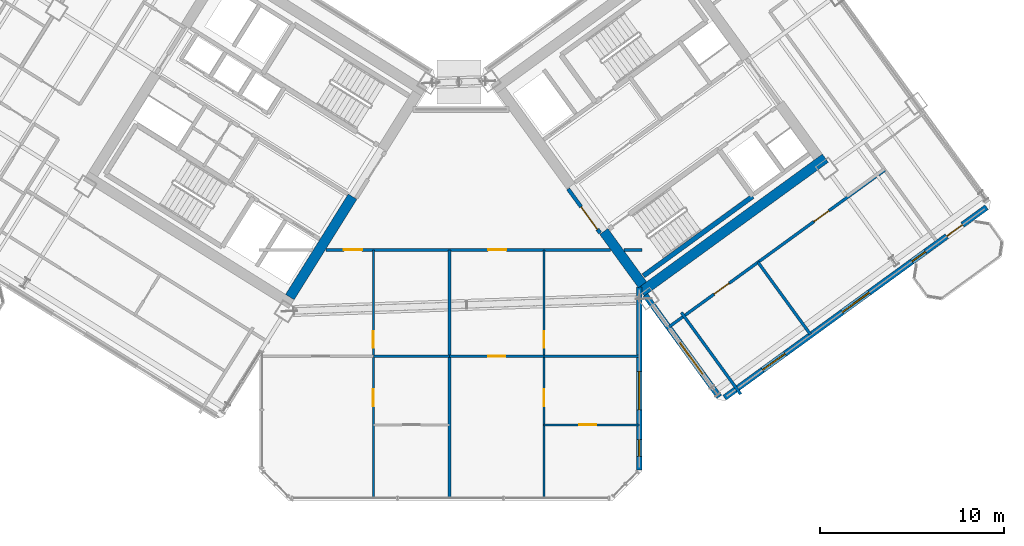
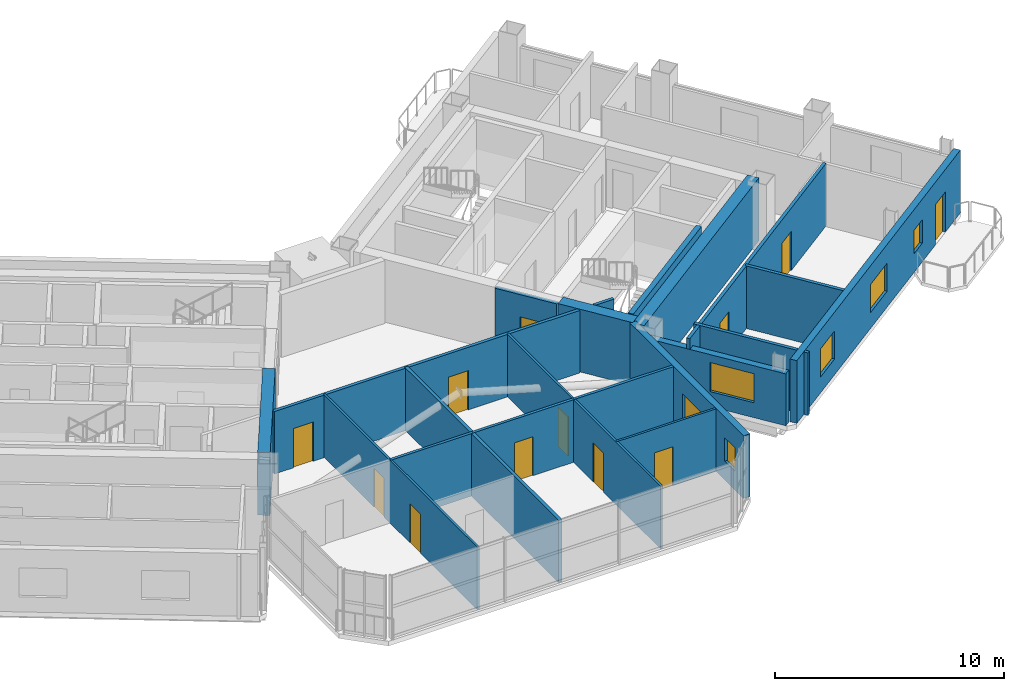
# One storey, part 19 of 29: 20 walls, 12 doors, 6 windows, 18 openings.
"""IFC4 building model written with IfcOpenShell, lengths in metres."""

from ifc_helpers import new_model, si_unit, direction, frame, frame_2d, origin, place, context, subcontext, project, spatial, rectangle, extrude, source, transform, mapped, material, layer, layer_set, type_object, element, fill, save


model = new_model("IFC4")

# Units and contexts
model_context = context("Model", 3, precision=1e-05, world=origin(), true_north=direction((0.0, 1.0)))
body_context = subcontext(model_context, "Body", "Model", "MODEL_VIEW")
ifc_project = project(units=[si_unit("LENGTHUNIT", "METRE"), si_unit("AREAUNIT", "SQUARE_METRE"), si_unit("VOLUMEUNIT", "CUBIC_METRE"), si_unit("PLANEANGLEUNIT", "RADIAN"), si_unit("MASSUNIT", "GRAM", prefix="KILO")], contexts=[model_context])

# Site, building, storey
site_placement = place(None, origin())
site = spatial("IfcSite", under=ifc_project, at=site_placement, CompositionType="ELEMENT")
building_placement = place(site_placement, origin())
building = spatial("IfcBuilding", under=site, at=building_placement, Name="Tlacorven Tower", CompositionType="ELEMENT")
storey_placement = place(building_placement, frame((0.0, 0.0, 151.5)))
storey = spatial("IfcBuildingStorey", under=building, at=storey_placement, Name="L38", CompositionType="ELEMENT", Elevation=151.5)

# Walls
ifc_material_1 = material(Name="Concrete C60/75", Category="concrete")
ifc_layer_1 = layer(ifc_material_1, 0.550048828125)
ifc_layer_set_1 = layer_set([ifc_layer_1], Name="Concrete C60/75")
wall_type_1 = type_object("IfcWallType", Name="WL-COR-550", PredefinedType="SHEAR", material=ifc_layer_set_1)
wall_1_placement = place(storey_placement, frame((36.683349609375, 18.30419921875, 0.0), z_axis=(0.0, 0.0, 1.0), x_axis=(-0.529896466841, -0.848062341122, 0.0)))
element("IfcWall", 1, at=wall_1_placement, inside=storey, type_object=wall_type_1, Name="L38 W core end wall E1.2", PredefinedType="SHEAR", context=body_context, shape_type="SweptSolid", body=[
    extrude(rectangle(XDim=6.4248046875, YDim=0.550048828125, at=frame_2d((3.21240234375, 0.0))), origin(), (0.0, 0.0, 1.0), 3.35009765625),
])
wall_2_placement = place(storey_placement, frame((52.35888671875, 13.1396484375, 0.0), z_axis=(0.0, 0.0, 1.0), x_axis=(0.809014896919, 0.587788139183, 0.0)))
element("IfcWall", 2, at=wall_2_placement, inside=storey, type_object=wall_type_1, Name="L38 E core shear wall S1", PredefinedType="SHEAR", context=body_context, shape_type="SweptSolid", body=[
    extrude(rectangle(XDim=12.340087890625, YDim=0.550048828125, at=frame_2d((6.169921875, 0.0))), origin(), (0.0, 0.0, 1.0), 3.35009765625),
])
wall_3_placement = place(storey_placement, frame((52.419677734375, 13.52392578125, 0.0), z_axis=(0.0, 0.0, 1.0), x_axis=(-0.587802113096, 0.809004744015, 0.0)))
element("IfcWall", 3, at=wall_3_placement, inside=storey, type_object=wall_type_1, Name="L38 E core end wall E1.1", PredefinedType="SHEAR", context=body_context, shape_type="SweptSolid", body=[
    extrude(rectangle(XDim=3.574951171875, YDim=0.550048828125, at=frame_2d((1.78759765625, 0.0))), origin(), (0.0, 0.0, 1.0), 3.35009765625),
])

# Wall, openings, doors
ifc_material_2 = material(Name="Gypsum plasterboard acoustic partition", Category="gypsum")
ifc_layer_2 = layer(ifc_material_2, 0.159912109375)
ifc_layer_set_2 = layer_set([ifc_layer_2], Name="Gypsum plasterboard acoustic partition")
wall_type_2 = type_object("IfcWallType", Name="WL-DEM-160", PredefinedType="PARTITIONING", material=ifc_layer_set_2)
wall_4_placement = place(storey_placement, frame((35.2373046875, 15.419921875, 0.0), z_axis=(0.0, 0.0, 1.0), x_axis=(1.0, 0.0, 0.0)))
wall_4 = element("IfcWall", 4, at=wall_4_placement, inside=storey, type_object=wall_type_2, Name="L38 Knuckle Corridor South Wall", PredefinedType="PARTITIONING", context=body_context, shape_type="SweptSolid", body=[
    extrude(rectangle(XDim=15.431640625, YDim=0.159912109375, at=frame_2d((7.7158203125, 0.0))), origin(), (0.0, 0.0, 1.0), 3.340087890625),
])
opening_1_placement = place(wall_4_placement, frame((0.968994140625, 0.0, 0.0)))
opening_1 = element("IfcOpeningElement", 5, at=opening_1_placement, cuts=wall_4, Name="Opening D11", PredefinedType="OPENING", context=body_context, shape_type="SweptSolid", body=[
    extrude(rectangle(XDim=1.0, YDim=2.10009765625, at=frame_2d((0.5, 1.050048828125))), frame((0.0, 0.08984375, 0.0), z_axis=(0.0, -1.0, 0.0), x_axis=(1.0, 0.0, 0.0)), (0.0, 0.0, 1.0), 0.179931640625),
])
opening_2_placement = place(wall_4_placement, frame((8.798583984375, 0.0, 0.0)))
opening_2 = element("IfcOpeningElement", 6, at=opening_2_placement, cuts=wall_4, Name="Opening D11", PredefinedType="OPENING", context=body_context, shape_type="SweptSolid", body=[
    extrude(rectangle(XDim=1.0, YDim=2.10009765625, at=frame_2d((0.5, 1.050048828125))), frame((0.0, 0.08984375, 0.0), z_axis=(0.0, -1.0, 0.0), x_axis=(1.0, 0.0, 0.0)), (0.0, 0.0, 1.0), 0.179931640625),
])
ifc_material_3 = material(Name="Fire-rated steel door assembly", Category="steel")
door_type_1 = type_object("IfcDoorType", Name="DR-FLT-FD60-1000", OperationType="NOTDEFINED", PredefinedType="DOOR", material=ifc_material_3)
shared_shape_1 = source(origin(), body_context, "Body", "SweptSolid", [
    extrude(rectangle(XDim=1.0, YDim=2.10009765625, at=frame_2d((0.5, 1.050048828125))), frame((0.0, 0.02490234375, 0.0), z_axis=(0.0, -1.0, 0.0), x_axis=(1.0, 0.0, 0.0)), (0.0, 0.0, 1.0), 0.050048828125),
])
door_1_placement = place(opening_1_placement, frame((1.0, 0.0, 0.0), z_axis=(0.0, 0.0, 1.0), x_axis=(-1.0, 0.0, 0.0)))
door_1 = element("IfcDoor", 7, at=door_1_placement, inside=storey, type_object=door_type_1, Name="L38 door 050", OperationType="SINGLE_SWING_LEFT", OverallHeight=2.10009765625, OverallWidth=1.0, PredefinedType="DOOR", context=body_context, shape_type="MappedRepresentation", body=[
    mapped(shared_shape_1, transform((0.0, 0.0, 0.0), scale=1.0)),
])
fill(opening_1, door_1)
door_2_placement = place(opening_2_placement, frame((1.0, 0.0, 0.0), z_axis=(0.0, 0.0, 1.0), x_axis=(-1.0, 0.0, 0.0)))
door_2 = element("IfcDoor", 8, at=door_2_placement, inside=storey, type_object=door_type_1, Name="L38 door 055", OperationType="SINGLE_SWING_RIGHT", OverallHeight=2.10009765625, OverallWidth=1.0, PredefinedType="DOOR", context=body_context, shape_type="MappedRepresentation", body=[
    mapped(shared_shape_1, transform((0.0, 0.0, 0.0), scale=1.0)),
])
fill(opening_2, door_2)

# Walls
wall_5_placement = place(storey_placement, frame((51.41552734375, 15.419921875, 0.0), z_axis=(0.0, 0.0, 1.0), x_axis=(1.0, 0.0, 0.0)))
element("IfcWall", 9, at=wall_5_placement, inside=storey, type_object=wall_type_2, Name="L38 Knuckle Corridor South Wall", PredefinedType="PARTITIONING", context=body_context, shape_type="SweptSolid", body=[
    extrude(rectangle(XDim=0.984375, YDim=0.159912109375, at=frame_2d((0.4921875, 0.0))), origin(), (0.0, 0.0, 1.0), 3.340087890625),
])
wall_6_placement = place(storey_placement, frame((41.949951171875, 1.9599609375, 0.0), z_axis=(0.0, 0.0, 1.0), x_axis=(0.0, 1.0, 0.0)))
element("IfcWall", 10, at=wall_6_placement, inside=storey, type_object=wall_type_2, Name="L38 Knuckle Demising Wall 1", PredefinedType="PARTITIONING", context=body_context, shape_type="SweptSolid", body=[
    extrude(rectangle(XDim=13.4599609375, YDim=0.159912109375, at=frame_2d((6.72998046875, 0.0))), origin(), (0.0, 0.0, 1.0), 3.340087890625),
])

# Wall, openings, doors
wall_7_placement = place(storey_placement, frame((53.70458984375, 11.1259765625, 0.0), z_axis=(0.0, 0.0, 1.0), x_axis=(0.809014504436, 0.587788679384, 0.0)))
wall_7 = element("IfcWall", 11, at=wall_7_placement, inside=storey, type_object=wall_type_2, Name="L38 partition 94", PredefinedType="PARTITIONING", context=body_context, shape_type="SweptSolid", body=[
    extrude(rectangle(XDim=14.669921875, YDim=0.159912109375, at=frame_2d((7.3349609375, 0.0))), origin(), (0.0, 0.0, 1.0), 3.340087890625),
])
opening_3_placement = place(wall_7_placement, frame((3.215087890625, 0.0, 0.0)))
opening_3 = element("IfcOpeningElement", 12, at=opening_3_placement, cuts=wall_7, Name="Opening D11", PredefinedType="OPENING", context=body_context, shape_type="SweptSolid", body=[
    extrude(rectangle(XDim=1.0, YDim=2.10009765625, at=frame_2d((0.5, 1.050048828125))), frame((0.0, 0.08984375, 0.0), z_axis=(0.0, -1.0, 0.0), x_axis=(1.0, 0.0, 0.0)), (0.0, 0.0, 1.0), 0.179931640625),
])
opening_4_placement = place(wall_7_placement, frame((9.9150390625, 0.0, 0.0)))
opening_4 = element("IfcOpeningElement", 13, at=opening_4_placement, cuts=wall_7, Name="Opening D11", PredefinedType="OPENING", context=body_context, shape_type="SweptSolid", body=[
    extrude(rectangle(XDim=1.0, YDim=2.10009765625, at=frame_2d((0.5, 1.050048828125))), frame((0.0, 0.08984375, 0.0), z_axis=(0.0, -1.0, 0.0), x_axis=(1.0, 0.0, 0.0)), (0.0, 0.0, 1.0), 0.179931640625),
])
door_3_placement = place(opening_3_placement, origin())
door_3 = element("IfcDoor", 14, at=door_3_placement, inside=storey, type_object=door_type_1, Name="L38 door 063", OperationType="SINGLE_SWING_RIGHT", OverallHeight=2.10009765625, OverallWidth=1.0, PredefinedType="DOOR", context=body_context, shape_type="MappedRepresentation", body=[
    mapped(shared_shape_1, transform((0.0, 0.0, 0.0), scale=1.0)),
])
fill(opening_3, door_3)
door_4_placement = place(opening_4_placement, origin())
door_4 = element("IfcDoor", 15, at=door_4_placement, inside=storey, type_object=door_type_1, Name="L38 door 064", OperationType="SINGLE_SWING_LEFT", OverallHeight=2.10009765625, OverallWidth=1.0, PredefinedType="DOOR", context=body_context, shape_type="MappedRepresentation", body=[
    mapped(shared_shape_1, transform((0.0, 0.0, 0.0), scale=1.0)),
])
fill(opening_4, door_4)

# Walls
wall_8_placement = place(storey_placement, frame((57.747314453125, 7.586181640625, 0.0), z_axis=(0.0, 0.0, 1.0), x_axis=(-0.587784893399, 0.809017255126, 0.0)))
element("IfcWall", 16, at=wall_8_placement, inside=storey, type_object=wall_type_2, Name="L38 EC West Throat Wall", PredefinedType="PARTITIONING", context=body_context, shape_type="SweptSolid", body=[
    extrude(rectangle(XDim=5.480224609375, YDim=0.159912109375, at=frame_2d((2.740234375, 0.0))), origin(), (0.0, 0.0, 1.0), 3.340087890625),
])
wall_9_placement = place(storey_placement, frame((61.538818359375, 10.822998046875, 0.0), z_axis=(0.0, 0.0, 1.0), x_axis=(-0.587785532001, 0.809016791155, 0.0)))
element("IfcWall", 17, at=wall_9_placement, inside=storey, type_object=wall_type_2, Name="L38 EC Demising Wall 1", PredefinedType="PARTITIONING", context=body_context, shape_type="SweptSolid", body=[
    extrude(rectangle(XDim=4.85009765625, YDim=0.159912109375, at=frame_2d((2.425048828125, 0.0))), origin(), (0.0, 0.0, 1.0), 3.340087890625),
])

# Wall, openings, door, windows
ifc_material_4 = material(Name="Precast concrete C45/55", Category="concrete")
ifc_layer_3 = layer(ifc_material_4, 0.320068359375)
ifc_layer_set_3 = layer_set([ifc_layer_3], Name="Precast concrete C45/55")
wall_type_3 = type_object("IfcWallType", Name="WL-EXT-320", PredefinedType="STANDARD", material=ifc_layer_set_3)
wall_10_placement = place(storey_placement, frame((71.097900390625, 17.73095703125, 0.0), z_axis=(0.0, 0.0, 1.0), x_axis=(-0.809021120468, -0.587779573171, 0.0)))
wall_10 = element("IfcWall", 18, at=wall_10_placement, inside=storey, type_object=wall_type_3, Name="L38 Masonry-Frame Recessed Facade Wall 7", PredefinedType="STANDARD", context=body_context, shape_type="SweptSolid", body=[
    extrude(rectangle(XDim=17.587646484375, YDim=0.320068359375, at=frame_2d((8.7939453125, 0.0))), origin(), (0.0, 0.0, 1.0), 3.35009765625),
])
opening_5_placement = place(wall_10_placement, frame((1.623779296875, 0.0, 0.0)))
opening_5 = element("IfcOpeningElement", 19, at=opening_5_placement, cuts=wall_10, Name="Opening D06", PredefinedType="OPENING", context=body_context, shape_type="SweptSolid", body=[
    extrude(rectangle(XDim=1.050048828125, YDim=2.14990234375, at=frame_2d((0.52490234375, 1.074951171875))), frame((0.0, 0.169921875, 0.0), z_axis=(0.0, -1.0, 0.0), x_axis=(1.0, 0.0, 0.0)), (0.0, 0.0, 1.0), 0.340087890625),
])
opening_6_placement = place(wall_10_placement, frame((4.103759765625, 0.0, 1.0)))
opening_6 = element("IfcOpeningElement", 20, at=opening_6_placement, cuts=wall_10, Name="Opening WN05", PredefinedType="OPENING", context=body_context, shape_type="SweptSolid", body=[
    extrude(rectangle(XDim=0.89990234375, YDim=1.25, at=frame_2d((0.449951171875, 0.625))), frame((0.0, 0.169921875, 0.0), z_axis=(0.0, -1.0, 0.0), x_axis=(1.0, 0.0, 0.0)), (0.0, 0.0, 1.0), 0.340087890625),
])
opening_7_placement = place(wall_10_placement, frame((7.878662109375, 0.0, 0.85009765625)))
opening_7 = element("IfcOpeningElement", 21, at=opening_7_placement, cuts=wall_10, Name="Opening WN01", PredefinedType="OPENING", context=body_context, shape_type="SweptSolid", body=[
    extrude(rectangle(XDim=1.800048828125, YDim=1.5, at=frame_2d((0.89990234375, 0.75))), frame((0.0, 0.169921875, 0.0), z_axis=(0.0, -1.0, 0.0), x_axis=(1.0, 0.0, 0.0)), (0.0, 0.0, 1.0), 0.340087890625),
])
opening_8_placement = place(wall_10_placement, frame((13.52880859375, 0.0, 0.85009765625)))
opening_8 = element("IfcOpeningElement", 22, at=opening_8_placement, cuts=wall_10, Name="Opening WN02", PredefinedType="OPENING", context=body_context, shape_type="SweptSolid", body=[
    extrude(rectangle(XDim=1.5, YDim=1.5, at=frame_2d((0.75, 0.75))), frame((0.0, 0.169921875, 0.0), z_axis=(0.0, -1.0, 0.0), x_axis=(1.0, 0.0, 0.0)), (0.0, 0.0, 1.0), 0.340087890625),
])
ifc_material_5 = material(Name="Powder-coated aluminium and timber door", Category="wood")
door_type_2 = type_object("IfcDoorType", Name="DR-EXT-BALC-1050", OperationType="NOTDEFINED", PredefinedType="DOOR", material=ifc_material_5)
shared_shape_2 = source(origin(), body_context, "Body", "SweptSolid", [
    extrude(rectangle(XDim=1.050048828125, YDim=2.14990234375, at=frame_2d((0.52490234375, 1.074951171875))), frame((0.0, 0.02490234375, 0.0), z_axis=(0.0, -1.0, 0.0), x_axis=(1.0, 0.0, 0.0)), (0.0, 0.0, 1.0), 0.050048828125),
])
door_5_placement = place(opening_5_placement, origin())
door_5 = element("IfcDoor", 23, at=door_5_placement, inside=storey, type_object=door_type_2, Name="L38 Outdoor Access Door BAL-L38-E-OUT", OperationType="SINGLE_SWING_LEFT", OverallHeight=2.14990234375, OverallWidth=1.050048828125, PredefinedType="DOOR", context=body_context, shape_type="MappedRepresentation", body=[
    mapped(shared_shape_2, transform((0.0, 0.0, 0.0), scale=1.0)),
])
fill(opening_5, door_5)
ifc_material_6 = material(Name="Dark solar low-E double glazing in anodised aluminium frame", Category="aluminium")
window_type_1 = type_object("IfcWindowType", Name="WN-APT-1800X1650", PartitioningType="SINGLE_PANEL", PredefinedType="WINDOW", material=ifc_material_6)
shared_shape_3 = source(origin(), body_context, "Body", "SweptSolid", [
    extrude(rectangle(XDim=1.800048828125, YDim=1.5, at=frame_2d((0.89990234375, 0.75))), frame((0.0, 0.030029296875, 0.0), z_axis=(0.0, -1.0, 0.0), x_axis=(1.0, 0.0, 0.0)), (0.0, 0.0, 1.0), 0.06005859375),
])
window_1_placement = place(opening_7_placement, origin())
window_1 = element("IfcWindow", 24, at=window_1_placement, inside=storey, type_object=window_type_1, Name="L38 Recessed Masonry-Frame Window L38-07.2", OverallHeight=1.5, OverallWidth=1.800048828125, PartitioningType="SINGLE_PANEL", PredefinedType="WINDOW", context=body_context, shape_type="MappedRepresentation", body=[
    mapped(shared_shape_3, transform((0.0, 0.0, 0.0), scale=1.0)),
])
fill(opening_7, window_1)
window_type_2 = type_object("IfcWindowType", Name="WN-APT-1500X1650", PartitioningType="SINGLE_PANEL", PredefinedType="WINDOW", material=ifc_material_6)
shared_shape_4 = source(origin(), body_context, "Body", "SweptSolid", [
    extrude(rectangle(XDim=1.5, YDim=1.5, at=frame_2d((0.75, 0.75))), frame((0.0, 0.030029296875, 0.0), z_axis=(0.0, -1.0, 0.0), x_axis=(1.0, 0.0, 0.0)), (0.0, 0.0, 1.0), 0.06005859375),
])
window_2_placement = place(opening_8_placement, origin())
window_2 = element("IfcWindow", 25, at=window_2_placement, inside=storey, type_object=window_type_2, Name="L38 Recessed Masonry-Frame Window L38-07.3", OverallHeight=1.5, OverallWidth=1.5, PartitioningType="SINGLE_PANEL", PredefinedType="WINDOW", context=body_context, shape_type="MappedRepresentation", body=[
    mapped(shared_shape_4, transform((0.0, 0.0, 0.0), scale=1.0)),
])
fill(opening_8, window_2)
window_type_3 = type_object("IfcWindowType", Name="WN-APT-0900X1350", PartitioningType="SINGLE_PANEL", PredefinedType="WINDOW", material=ifc_material_6)
shared_shape_5 = source(origin(), body_context, "Body", "SweptSolid", [
    extrude(rectangle(XDim=0.89990234375, YDim=1.25, at=frame_2d((0.449951171875, 0.625))), frame((0.0, 0.030029296875, 0.0), z_axis=(0.0, -1.0, 0.0), x_axis=(1.0, 0.0, 0.0)), (0.0, 0.0, 1.0), 0.06005859375),
])
window_3_placement = place(opening_6_placement, origin())
window_3 = element("IfcWindow", 26, at=window_3_placement, inside=storey, type_object=window_type_3, Name="L38 Recessed Masonry-Frame Window L38-07.1", OverallHeight=1.25, OverallWidth=0.89990234375, PartitioningType="SINGLE_PANEL", PredefinedType="WINDOW", context=body_context, shape_type="MappedRepresentation", body=[
    mapped(shared_shape_5, transform((0.0, 0.0, 0.0), scale=1.0)),
])
fill(opening_6, window_3)

# Wall, opening, window
wall_11_placement = place(storey_placement, frame((56.5810546875, 7.43896484375, 0.0), z_axis=(0.0, 0.0, 1.0), x_axis=(-0.587771678454, 0.809026856172, 0.0)))
wall_11 = element("IfcWall", 27, at=wall_11_placement, inside=storey, type_object=wall_type_3, Name="L38 Masonry-Frame Recessed Facade Wall 8", PredefinedType="STANDARD", context=body_context, shape_type="SweptSolid", body=[
    extrude(rectangle(XDim=6.82373046875, YDim=0.320068359375, at=frame_2d((3.411865234375, 0.0))), origin(), (0.0, 0.0, 1.0), 2.77490234375),
])
opening_9_placement = place(wall_11_placement, frame((1.53125, 0.0, 0.800048828125)))
opening_9 = element("IfcOpeningElement", 28, at=opening_9_placement, cuts=wall_11, Name="Opening WN04", PredefinedType="OPENING", context=body_context, shape_type="SweptSolid", body=[
    extrude(rectangle(XDim=2.10009765625, YDim=1.550048828125, at=frame_2d((1.050048828125, 0.77490234375))), frame((0.0, 0.169921875, 0.0), z_axis=(0.0, -1.0, 0.0), x_axis=(1.0, 0.0, 0.0)), (0.0, 0.0, 1.0), 0.340087890625),
])
window_type_4 = type_object("IfcWindowType", Name="WN-APT-2100X1750", PartitioningType="SINGLE_PANEL", PredefinedType="WINDOW", material=ifc_material_6)
shared_shape_6 = source(origin(), body_context, "Body", "SweptSolid", [
    extrude(rectangle(XDim=2.10009765625, YDim=1.550048828125, at=frame_2d((1.050048828125, 0.77490234375))), frame((0.0, 0.030029296875, 0.0), z_axis=(0.0, -1.0, 0.0), x_axis=(1.0, 0.0, 0.0)), (0.0, 0.0, 1.0), 0.06005859375),
])
window_4_placement = place(opening_9_placement, origin())
window_4 = element("IfcWindow", 29, at=window_4_placement, inside=storey, type_object=window_type_4, Name="L38 Recessed Masonry-Frame Window L38-08.1", OverallHeight=1.550048828125, OverallWidth=2.10009765625, PartitioningType="SINGLE_PANEL", PredefinedType="WINDOW", context=body_context, shape_type="MappedRepresentation", body=[
    mapped(shared_shape_6, transform((0.0, 0.0, 0.0), scale=1.0)),
])
fill(opening_9, window_4)

# Wall, openings, windows
wall_12_placement = place(storey_placement, frame((52.239990234375, 13.4140625, 0.0), z_axis=(0.0, 0.0, 1.0), x_axis=(0.0, -1.0, 0.0)))
wall_12 = element("IfcWall", 30, at=wall_12_placement, inside=storey, type_object=wall_type_3, Name="L38 Masonry-Frame Recessed Facade Wall 9", PredefinedType="STANDARD", context=body_context, shape_type="SweptSolid", body=[
    extrude(rectangle(XDim=9.94775390625, YDim=0.320068359375, at=frame_2d((4.973876953125, 0.0))), origin(), (0.0, 0.0, 1.0), 3.35009765625),
])
opening_10_placement = place(wall_12_placement, frame((4.58642578125, 0.0, 0.800048828125)))
opening_10 = element("IfcOpeningElement", 31, at=opening_10_placement, cuts=wall_12, Name="Opening WN04", PredefinedType="OPENING", context=body_context, shape_type="SweptSolid", body=[
    extrude(rectangle(XDim=2.10009765625, YDim=1.550048828125, at=frame_2d((1.050048828125, 0.77490234375))), frame((0.0, 0.169921875, 0.0), z_axis=(0.0, -1.0, 0.0), x_axis=(1.0, 0.0, 0.0)), (0.0, 0.0, 1.0), 0.340087890625),
])
opening_11_placement = place(wall_12_placement, frame((8.29833984375, 0.0, 1.0)))
opening_11 = element("IfcOpeningElement", 32, at=opening_11_placement, cuts=wall_12, Name="Opening WN05", PredefinedType="OPENING", context=body_context, shape_type="SweptSolid", body=[
    extrude(rectangle(XDim=0.89990234375, YDim=1.25, at=frame_2d((0.449951171875, 0.625))), frame((0.0, 0.169921875, 0.0), z_axis=(0.0, -1.0, 0.0), x_axis=(1.0, 0.0, 0.0)), (0.0, 0.0, 1.0), 0.340087890625),
])
window_5_placement = place(opening_10_placement, origin())
window_5 = element("IfcWindow", 33, at=window_5_placement, inside=storey, type_object=window_type_4, Name="L38 Recessed Masonry-Frame Window L38-09.1", OverallHeight=1.550048828125, OverallWidth=2.10009765625, PartitioningType="SINGLE_PANEL", PredefinedType="WINDOW", context=body_context, shape_type="MappedRepresentation", body=[
    mapped(shared_shape_6, transform((0.0, 0.0, 0.0), scale=1.0)),
])
fill(opening_10, window_5)
window_6_placement = place(opening_11_placement, origin())
window_6 = element("IfcWindow", 34, at=window_6_placement, inside=storey, type_object=window_type_3, Name="L38 Recessed Masonry-Frame Window L38-09.2", OverallHeight=1.25, OverallWidth=0.89990234375, PartitioningType="SINGLE_PANEL", PredefinedType="WINDOW", context=body_context, shape_type="MappedRepresentation", body=[
    mapped(shared_shape_5, transform((0.0, 0.0, 0.0), scale=1.0)),
])
fill(opening_11, window_6)

# Wall, openings, doors
ifc_material_7 = material(Name="Gypsum plasterboard partition", Category="gypsum")
ifc_layer_4 = layer(ifc_material_7, 0.110107421875)
ifc_layer_set_4 = layer_set([ifc_layer_4], Name="Gypsum plasterboard partition")
wall_type_4 = type_object("IfcWallType", Name="WL-INT-110", PredefinedType="PARTITIONING", material=ifc_layer_set_4)
wall_13_placement = place(storey_placement, frame((37.81298828125, 1.9599609375, 0.0), z_axis=(0.0, 0.0, 1.0), x_axis=(0.0, 1.0, 0.0)))
wall_13 = element("IfcWall", 35, at=wall_13_placement, inside=storey, type_object=wall_type_4, Name="L38 partition 77", PredefinedType="PARTITIONING", context=body_context, shape_type="SweptSolid", body=[
    extrude(rectangle(XDim=13.4599609375, YDim=0.110107421875, at=frame_2d((6.72998046875, 0.0))), origin(), (0.0, 0.0, 1.0), 3.340087890625),
])
opening_12_placement = place(wall_13_placement, frame((4.969970703125, 0.0, 0.0)))
opening_12 = element("IfcOpeningElement", 36, at=opening_12_placement, cuts=wall_13, Name="Opening D12", PredefinedType="OPENING", context=body_context, shape_type="SweptSolid", body=[
    extrude(rectangle(XDim=0.919921875, YDim=2.080078125, at=frame_2d((0.4599609375, 1.0400390625))), frame((0.0, 0.06494140625, 0.0), z_axis=(0.0, -1.0, 0.0), x_axis=(1.0, 0.0, 0.0)), (0.0, 0.0, 1.0), 0.130126953125),
])
opening_13_placement = place(wall_13_placement, frame((8.14990234375, 0.0, 0.0)))
opening_13 = element("IfcOpeningElement", 37, at=opening_13_placement, cuts=wall_13, Name="Opening D13", PredefinedType="OPENING", context=body_context, shape_type="SweptSolid", body=[
    extrude(rectangle(XDim=0.8798828125, YDim=2.080078125, at=frame_2d((0.43994140625, 1.0400390625))), frame((0.0, 0.06494140625, 0.0), z_axis=(0.0, -1.0, 0.0), x_axis=(1.0, 0.0, 0.0)), (0.0, 0.0, 1.0), 0.130126953125),
])
door_type_3 = type_object("IfcDoorType", Name="DR-INT-WET-0880", OperationType="NOTDEFINED", PredefinedType="DOOR", material=ifc_material_5)
shared_shape_7 = source(origin(), body_context, "Body", "SweptSolid", [
    extrude(rectangle(XDim=0.8798828125, YDim=2.080078125, at=frame_2d((0.43994140625, 1.0400390625))), frame((0.0, 0.02490234375, 0.0), z_axis=(0.0, -1.0, 0.0), x_axis=(1.0, 0.0, 0.0)), (0.0, 0.0, 1.0), 0.050048828125),
])
door_6_placement = place(opening_13_placement, origin())
door_6 = element("IfcDoor", 38, at=door_6_placement, inside=storey, type_object=door_type_3, Name="L38 door 052", OperationType="SINGLE_SWING_LEFT", OverallHeight=2.080078125, OverallWidth=0.8798828125, PredefinedType="DOOR", context=body_context, shape_type="MappedRepresentation", body=[
    mapped(shared_shape_7, transform((0.0, 0.0, 0.0), scale=1.0)),
])
fill(opening_13, door_6)
door_type_4 = type_object("IfcDoorType", Name="DR-INT-ROOM-0920", OperationType="NOTDEFINED", PredefinedType="DOOR", material=ifc_material_5)
shared_shape_8 = source(origin(), body_context, "Body", "SweptSolid", [
    extrude(rectangle(XDim=0.919921875, YDim=2.080078125, at=frame_2d((0.4599609375, 1.0400390625))), frame((0.0, 0.02490234375, 0.0), z_axis=(0.0, -1.0, 0.0), x_axis=(1.0, 0.0, 0.0)), (0.0, 0.0, 1.0), 0.050048828125),
])
door_7_placement = place(opening_12_placement, origin())
door_7 = element("IfcDoor", 39, at=door_7_placement, inside=storey, type_object=door_type_4, Name="L38 door 048", OperationType="SINGLE_SWING_LEFT", OverallHeight=2.080078125, OverallWidth=0.919921875, PredefinedType="DOOR", context=body_context, shape_type="MappedRepresentation", body=[
    mapped(shared_shape_8, transform((0.0, 0.0, 0.0), scale=1.0)),
])
fill(opening_12, door_7)

wall_14_placement = place(storey_placement, frame((47.072021484375, 1.9599609375, 0.0), z_axis=(0.0, 0.0, 1.0), x_axis=(0.0, 1.0, 0.0)))
wall_14 = element("IfcWall", 40, at=wall_14_placement, inside=storey, type_object=wall_type_4, Name="L38 partition 81", PredefinedType="PARTITIONING", context=body_context, shape_type="SweptSolid", body=[
    extrude(rectangle(XDim=13.4599609375, YDim=0.110107421875, at=frame_2d((6.72998046875, 0.0))), origin(), (0.0, 0.0, 1.0), 3.340087890625),
])
opening_14_placement = place(wall_14_placement, frame((4.969970703125, 0.0, 0.0)))
opening_14 = element("IfcOpeningElement", 41, at=opening_14_placement, cuts=wall_14, Name="Opening D12", PredefinedType="OPENING", context=body_context, shape_type="SweptSolid", body=[
    extrude(rectangle(XDim=0.919921875, YDim=2.080078125, at=frame_2d((0.4599609375, 1.0400390625))), frame((0.0, 0.06494140625, 0.0), z_axis=(0.0, -1.0, 0.0), x_axis=(1.0, 0.0, 0.0)), (0.0, 0.0, 1.0), 0.130126953125),
])
opening_15_placement = place(wall_14_placement, frame((8.14990234375, 0.0, 0.0)))
opening_15 = element("IfcOpeningElement", 42, at=opening_15_placement, cuts=wall_14, Name="Opening D13", PredefinedType="OPENING", context=body_context, shape_type="SweptSolid", body=[
    extrude(rectangle(XDim=0.8798828125, YDim=2.080078125, at=frame_2d((0.43994140625, 1.0400390625))), frame((0.0, 0.06494140625, 0.0), z_axis=(0.0, -1.0, 0.0), x_axis=(1.0, 0.0, 0.0)), (0.0, 0.0, 1.0), 0.130126953125),
])
door_8_placement = place(opening_15_placement, origin())
door_8 = element("IfcDoor", 43, at=door_8_placement, inside=storey, type_object=door_type_3, Name="L38 door 057", OperationType="SINGLE_SWING_RIGHT", OverallHeight=2.080078125, OverallWidth=0.8798828125, PredefinedType="DOOR", context=body_context, shape_type="MappedRepresentation", body=[
    mapped(shared_shape_7, transform((0.0, 0.0, 0.0), scale=1.0)),
])
fill(opening_15, door_8)
door_9_placement = place(opening_14_placement, origin())
door_9 = element("IfcDoor", 44, at=door_9_placement, inside=storey, type_object=door_type_4, Name="L38 door 053", OperationType="SINGLE_SWING_RIGHT", OverallHeight=2.080078125, OverallWidth=0.919921875, PredefinedType="DOOR", context=body_context, shape_type="MappedRepresentation", body=[
    mapped(shared_shape_8, transform((0.0, 0.0, 0.0), scale=1.0)),
])
fill(opening_14, door_9)

# Wall, opening, door
wall_15_placement = place(storey_placement, frame((47.072021484375, 5.919921875, 0.0), z_axis=(0.0, 0.0, 1.0), x_axis=(1.0, 0.0, 0.0)))
wall_15 = element("IfcWall", 45, at=wall_15_placement, inside=storey, type_object=wall_type_4, Name="L38 partition 84", PredefinedType="PARTITIONING", context=body_context, shape_type="SweptSolid", body=[
    extrude(rectangle(XDim=5.18798828125, YDim=0.110107421875, at=frame_2d((2.593994140625, 0.0))), origin(), (0.0, 0.0, 1.0), 3.340087890625),
])
opening_16_placement = place(wall_15_placement, frame((1.904052734375, 0.0, 0.0)))
opening_16 = element("IfcOpeningElement", 46, at=opening_16_placement, cuts=wall_15, Name="Opening D12", PredefinedType="OPENING", context=body_context, shape_type="SweptSolid", body=[
    extrude(rectangle(XDim=0.919921875, YDim=2.080078125, at=frame_2d((0.4599609375, 1.0400390625))), frame((0.0, 0.06494140625, 0.0), z_axis=(0.0, -1.0, 0.0), x_axis=(1.0, 0.0, 0.0)), (0.0, 0.0, 1.0), 0.130126953125),
])
door_10_placement = place(opening_16_placement, origin())
door_10 = element("IfcDoor", 47, at=door_10_placement, inside=storey, type_object=door_type_4, Name="L38 door 054", OperationType="SINGLE_SWING_LEFT", OverallHeight=2.080078125, OverallWidth=0.919921875, PredefinedType="DOOR", context=body_context, shape_type="MappedRepresentation", body=[
    mapped(shared_shape_8, transform((0.0, 0.0, 0.0), scale=1.0)),
])
fill(opening_16, door_10)

# Wall
ifc_material_8 = material(Name="Moisture-resistant gypsum plumbing wall", Category="gypsum")
ifc_layer_5 = layer(ifc_material_8, 0.139892578125)
ifc_layer_set_5 = layer_set([ifc_layer_5], Name="Moisture-resistant gypsum plumbing wall")
wall_type_5 = type_object("IfcWallType", Name="WL-PLM-140", PredefinedType="PLUMBINGWALL", material=ifc_layer_set_5)
wall_16_placement = place(storey_placement, frame((37.81298828125, 9.64990234375, 0.0), z_axis=(0.0, 0.0, 1.0), x_axis=(1.0, 0.0, 0.0)))
element("IfcWall", 48, at=wall_16_placement, inside=storey, type_object=wall_type_5, Name="L38 partition 79", PredefinedType="PLUMBINGWALL", context=body_context, shape_type="SweptSolid", body=[
    extrude(rectangle(XDim=4.136962890625, YDim=0.139892578125, at=frame_2d((2.068359375, 0.0))), origin(), (0.0, 0.0, 1.0), 3.340087890625),
])

# Wall, opening, door
wall_17_placement = place(storey_placement, frame((41.949951171875, 9.64990234375, 0.0), z_axis=(0.0, 0.0, 1.0), x_axis=(1.0, 0.0, 0.0)))
wall_17 = element("IfcWall", 49, at=wall_17_placement, inside=storey, type_object=wall_type_5, Name="L38 partition 82", PredefinedType="PLUMBINGWALL", context=body_context, shape_type="SweptSolid", body=[
    extrude(rectangle(XDim=5.1220703125, YDim=0.139892578125, at=frame_2d((2.56103515625, 0.0))), origin(), (0.0, 0.0, 1.0), 3.340087890625),
])
opening_17_placement = place(wall_17_placement, frame((2.10107421875, 0.0, 0.0)))
opening_17 = element("IfcOpeningElement", 50, at=opening_17_placement, cuts=wall_17, Name="Opening D12", PredefinedType="OPENING", context=body_context, shape_type="SweptSolid", body=[
    extrude(rectangle(XDim=0.919921875, YDim=2.080078125, at=frame_2d((0.4599609375, 1.0400390625))), frame((0.0, 0.080078125, 0.0), z_axis=(0.0, -1.0, 0.0), x_axis=(1.0, 0.0, 0.0)), (0.0, 0.0, 1.0), 0.159912109375),
])
door_11_placement = place(opening_17_placement, frame((0.919921875, 0.0, 0.0), z_axis=(0.0, 0.0, 1.0), x_axis=(-1.0, 0.0, 0.0)))
door_11 = element("IfcDoor", 51, at=door_11_placement, inside=storey, type_object=door_type_4, Name="L38 door 056", OperationType="SINGLE_SWING_LEFT", OverallHeight=2.080078125, OverallWidth=0.919921875, PredefinedType="DOOR", context=body_context, shape_type="MappedRepresentation", body=[
    mapped(shared_shape_8, transform((0.0, 0.0, 0.0), scale=1.0)),
])
fill(opening_17, door_11)

# Wall
wall_18_placement = place(storey_placement, frame((47.072021484375, 9.64990234375, 0.0), z_axis=(0.0, 0.0, 1.0), x_axis=(1.0, 0.0, 0.0)))
element("IfcWall", 52, at=wall_18_placement, inside=storey, type_object=wall_type_5, Name="L38 partition 83", PredefinedType="PLUMBINGWALL", context=body_context, shape_type="SweptSolid", body=[
    extrude(rectangle(XDim=5.18798828125, YDim=0.139892578125, at=frame_2d((2.593994140625, 0.0))), origin(), (0.0, 0.0, 1.0), 3.340087890625),
])

# Wall, opening, door
ifc_material_9 = material(Name="Concrete C40/50", Category="concrete")
ifc_layer_6 = layer(ifc_material_9, 0.199951171875)
ifc_layer_set_6 = layer_set([ifc_layer_6], Name="Concrete C40/50")
wall_type_6 = type_object("IfcWallType", Name="WL-SHF-200", PredefinedType="STANDARD", material=ifc_layer_set_6)
wall_19_placement = place(storey_placement, frame((50.119140625, 16.3330078125, 0.0), z_axis=(0.0, 0.0, 1.0), x_axis=(-0.587749856981, 0.809042709391, 0.0)))
wall_19 = element("IfcWall", 53, at=wall_19_placement, inside=storey, type_object=wall_type_6, Name="L38 partition 75", PredefinedType="STANDARD", context=body_context, shape_type="SweptSolid", body=[
    extrude(rectangle(XDim=2.9599609375, YDim=0.199951171875, at=frame_2d((1.47998046875, 0.0))), origin(), (0.0, 0.0, 1.0), 3.340087890625),
])
opening_18_placement = place(wall_19_placement, frame((0.25, 0.0, 0.0)))
opening_18 = element("IfcOpeningElement", 54, at=opening_18_placement, cuts=wall_19, Name="Opening D10", PredefinedType="OPENING", context=body_context, shape_type="SweptSolid", body=[
    extrude(rectangle(XDim=1.5, YDim=2.14990234375, at=frame_2d((0.75, 1.074951171875))), frame((0.0, 0.10986328125, 0.0), z_axis=(0.0, -1.0, 0.0), x_axis=(1.0, 0.0, 0.0)), (0.0, 0.0, 1.0), 0.219970703125),
])
door_type_5 = type_object("IfcDoorType", Name="DR-LOB-FD60-1500", OperationType="DOUBLE_DOOR_SINGLE_SWING", PredefinedType="DOOR", material=ifc_material_3)
shared_shape_9 = source(origin(), body_context, "Body", "SweptSolid", [
    extrude(rectangle(XDim=1.5, YDim=2.14990234375, at=frame_2d((0.75, 1.074951171875))), frame((0.0, 0.02490234375, 0.0), z_axis=(0.0, -1.0, 0.0), x_axis=(1.0, 0.0, 0.0)), (0.0, 0.0, 1.0), 0.050048828125),
])
door_12_placement = place(opening_18_placement, frame((1.5, 0.0, 0.0), z_axis=(0.0, 0.0, 1.0), x_axis=(-1.0, 0.0, 0.0)))
door_12 = element("IfcDoor", 55, at=door_12_placement, inside=storey, type_object=door_type_5, Name="L38 door 047", OperationType="DOUBLE_DOOR_SINGLE_SWING", OverallHeight=2.14990234375, OverallWidth=1.5, PredefinedType="DOOR", context=body_context, shape_type="MappedRepresentation", body=[
    mapped(shared_shape_9, transform((0.0, 0.0, 0.0), scale=1.0)),
])
fill(opening_18, door_12)

# Wall
ifc_material_10 = material(Name="Concrete C50/60", Category="concrete")
ifc_layer_7 = layer(ifc_material_10, 0.260009765625)
ifc_layer_set_7 = layer_set([ifc_layer_7], Name="Concrete C50/60")
wall_type_7 = type_object("IfcWallType", Name="WL-STW-260", PredefinedType="SHEAR", material=ifc_layer_set_7)
wall_20_placement = place(storey_placement, frame((52.47216796875, 14.01318359375, 0.0), z_axis=(0.0, 0.0, 1.0), x_axis=(0.809028366311, 0.587769599847, 0.0)))
element("IfcWall", 56, at=wall_20_placement, inside=storey, type_object=wall_type_7, Name="L38 Stair E2 Far Shear Wall", PredefinedType="SHEAR", context=body_context, shape_type="SweptSolid", body=[
    extrude(rectangle(XDim=7.330078125, YDim=0.260009765625, at=frame_2d((3.6650390625, 0.0))), origin(), (0.0, 0.0, 1.0), 3.35009765625),
])

save(model, "model.ifc")
